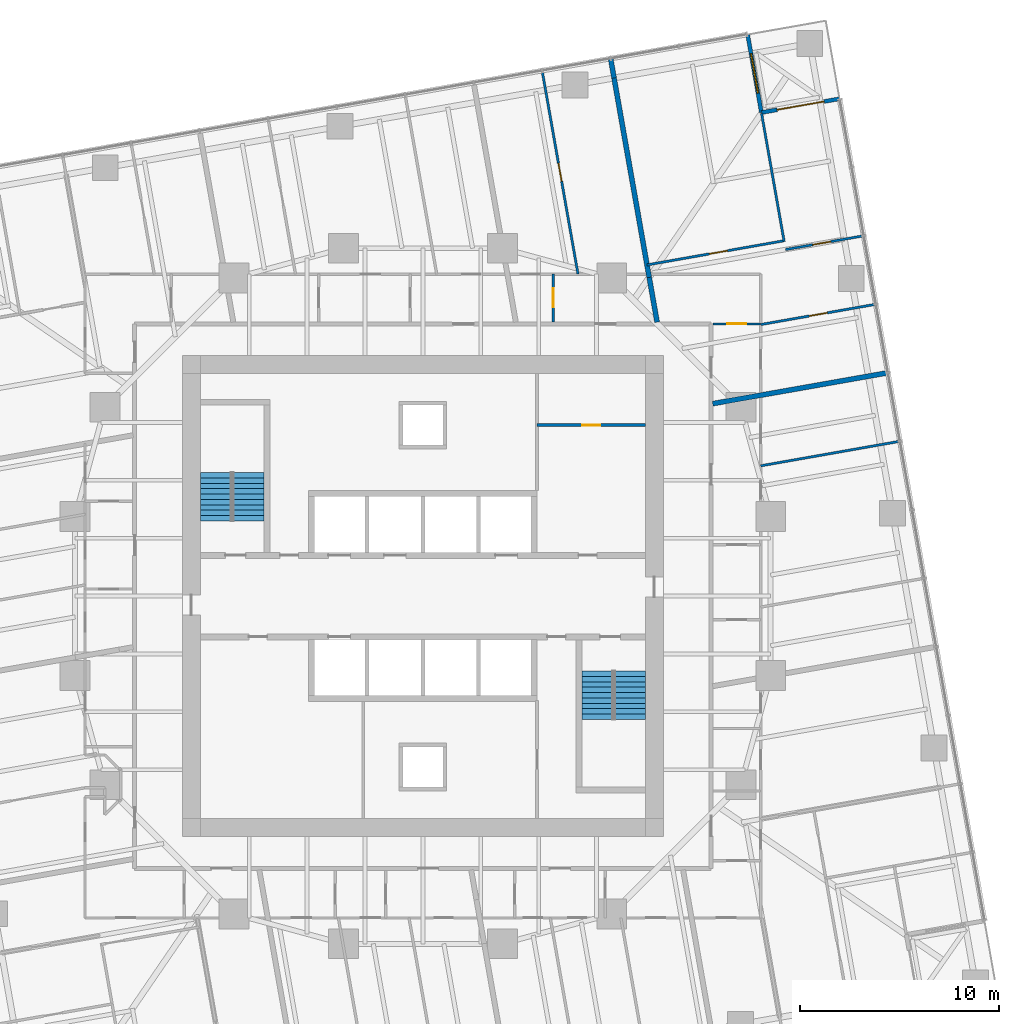
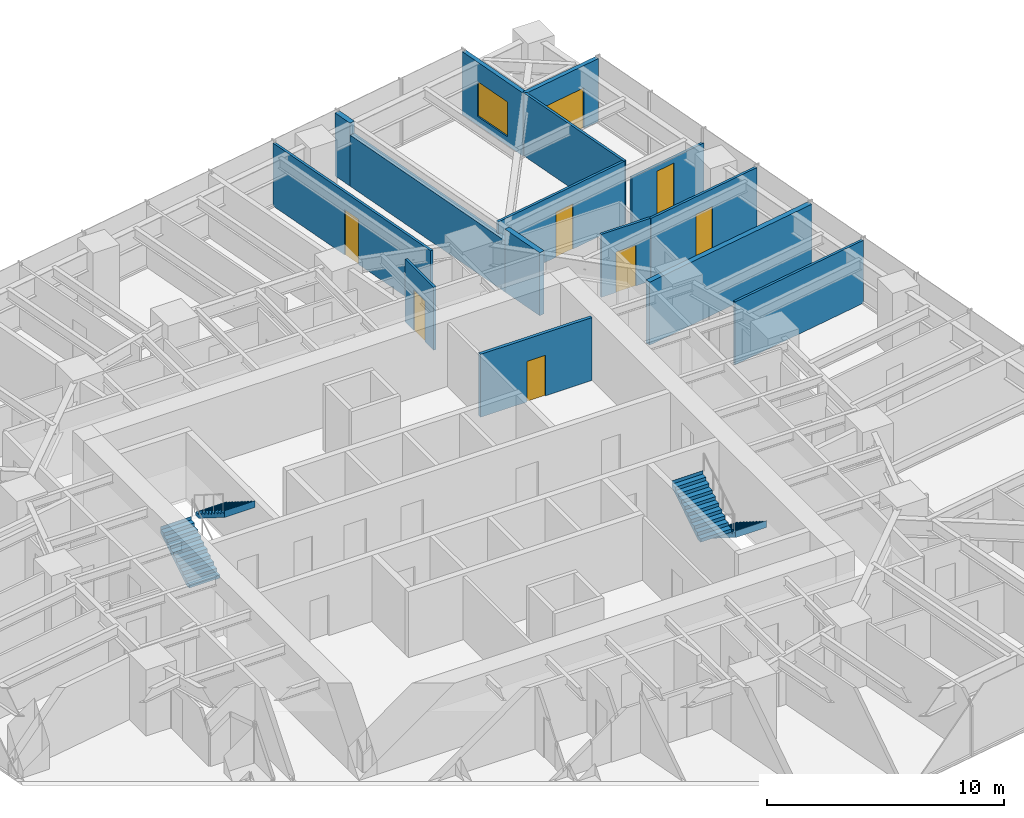
# One storey, part 13 of 14: 15 walls, 8 doors, 4 stair flights, 1 window, 9 openings, 2 elements without a shape of their own.
"""IFC4 building model written with IfcOpenShell, lengths in metres."""

from ifc_helpers import new_model, si_unit, direction, frame, frame_2d, origin, place, context, subcontext, project, spatial, polyline, rectangle, outline, extrude, material, layer, layer_set, type_object, element, fill, aggregate, save


model = new_model("IFC4")

# Units and contexts
model_context = context("Model", 3, precision=1e-05, world=origin(), true_north=direction((0.0, 1.0)))
body_context = subcontext(model_context, "Body", "Model", "MODEL_VIEW")
ifc_project = project(units=[si_unit("LENGTHUNIT", "METRE"), si_unit("AREAUNIT", "SQUARE_METRE"), si_unit("VOLUMEUNIT", "CUBIC_METRE"), si_unit("PLANEANGLEUNIT", "RADIAN"), si_unit("MASSUNIT", "GRAM", prefix="KILO")], contexts=[model_context])

# Site, building, storey
site_placement = place(None, origin())
site = spatial("IfcSite", under=ifc_project, at=site_placement, CompositionType="ELEMENT")
building_placement = place(site_placement, origin())
building = spatial("IfcBuilding", under=site, at=building_placement, Name="Torsade Residences", CompositionType="ELEMENT")
storey_placement = place(building_placement, frame((0.0, 0.0, 96.39990234375)))
storey = spatial("IfcBuildingStorey", under=building, at=storey_placement, Name="L26", CompositionType="ELEMENT", Elevation=96.39990234375)

# Wall
ifc_material_1 = material(Name="Plasterboard on steel stud", Category="steel")
ifc_layer_1 = layer(ifc_material_1, 0.1201171875)
ifc_layer_set_1 = layer_set([ifc_layer_1], Name="Plasterboard on steel stud")
wall_type_1 = type_object("IfcWallType", Name="PARTITION 120", PredefinedType="PARTITIONING", material=ifc_layer_set_1)
wall_1_placement = place(storey_placement, frame((57.0, 36.551513671875, 0.0), z_axis=(0.0, 0.0, 1.0), x_axis=(0.984809234282, 0.173639776761, 0.0)))
element("IfcWall", 1, at=wall_1_placement, inside=storey, type_object=wall_type_1, Name="Partition L26", PredefinedType="PARTITIONING", context=body_context, shape_type="SweptSolid", body=[
    extrude(rectangle(XDim=7.080810546875, YDim=0.1201171875, at=frame_2d((3.54052734375, 0.0))), origin(), (0.0, 0.0, 1.0), 3.25),
])

# Wall, opening, door
wall_2_placement = place(storey_placement, frame((54.60009765625, 43.68896484375, 0.0), z_axis=(0.0, 0.0, 1.0), x_axis=(1.0, 0.0, 0.0)))
wall_2 = element("IfcWall", 2, at=wall_2_placement, inside=storey, type_object=wall_type_1, Name="Partition L26", PredefinedType="PARTITIONING", context=body_context, shape_type="SweptSolid", body=[
    extrude(rectangle(XDim=2.39990234375, YDim=0.1201171875, at=frame_2d((1.199951171875, 0.0))), origin(), (0.0, 0.0, 1.0), 3.25),
])
opening_1_placement = place(wall_2_placement, frame((0.719970703125, 0.0, 0.0)))
opening_1 = element("IfcOpeningElement", 3, at=opening_1_placement, cuts=wall_2, Name="Opening D05", PredefinedType="OPENING", context=body_context, shape_type="SweptSolid", body=[
    extrude(rectangle(XDim=0.9599609375, YDim=2.10009765625, at=frame_2d((0.47998046875, 1.050048828125))), frame((0.0, 0.070068359375, 0.0), z_axis=(0.0, -1.0, 0.0), x_axis=(1.0, 0.0, 0.0)), (0.0, 0.0, 1.0), 0.14013671875),
])
ifc_material_2 = material(Name="Hollow-core timber door in a steel cavity frame", Category="steel")
door_type_1 = type_object("IfcDoorType", Name="BATHROOM CAVITY SLIDING DOOR 960", OperationType="SLIDING_TO_LEFT", PredefinedType="DOOR", material=ifc_material_2)
door_1_placement = place(opening_1_placement, origin())
door_1 = element("IfcDoor", 4, at=door_1_placement, inside=storey, type_object=door_type_1, Name="Door Kitchen and dining to Bathroom", OperationType="SLIDING_TO_LEFT", OverallHeight=2.10009765625, OverallWidth=0.9599609375, PredefinedType="DOOR", context=body_context, shape_type="SweptSolid", body=[
    extrude(rectangle(XDim=0.9599609375, YDim=2.10009765625, at=frame_2d((0.47998046875, 1.050048828125))), frame((0.0, 0.02490234375, 0.0), z_axis=(0.0, -1.0, 0.0), x_axis=(1.0, 0.0, 0.0)), (0.0, 0.0, 1.0), 0.050048828125),
])
fill(opening_1, door_1)

# Wall
wall_3_placement = place(storey_placement, frame((57.041259765625, 54.2880859375, 0.0), z_axis=(0.0, 0.0, 1.0), x_axis=(0.173657751636, -0.984806064815, 0.0)))
element("IfcWall", 5, at=wall_3_placement, inside=storey, type_object=wall_type_1, Name="Partition L26", PredefinedType="PARTITIONING", context=body_context, shape_type="SweptSolid", body=[
    extrude(rectangle(XDim=6.550048828125, YDim=0.1201171875, at=frame_2d((3.27490234375, 0.0))), origin(), (0.0, 0.0, 1.0), 3.25),
])

# Wall, opening, door
wall_4_placement = place(storey_placement, frame((58.171630859375, 47.877197265625, 0.0), z_axis=(0.0, 0.0, 1.0), x_axis=(-0.984806372973, -0.173656004074, 0.0)))
wall_4 = element("IfcWall", 6, at=wall_4_placement, inside=storey, type_object=wall_type_1, Name="Partition L26", PredefinedType="PARTITIONING", context=body_context, shape_type="SweptSolid", body=[
    extrude(rectangle(XDim=7.0, YDim=0.1201171875, at=frame_2d((3.5, 0.0))), origin(), (0.0, 0.0, 1.0), 3.25),
])
opening_2_placement = place(wall_4_placement, frame((2.889892578125, 0.0, 0.0)))
opening_2 = element("IfcOpeningElement", 7, at=opening_2_placement, cuts=wall_4, Name="Opening D02", PredefinedType="OPENING", context=body_context, shape_type="SweptSolid", body=[
    extrude(rectangle(XDim=0.919921875, YDim=2.340087890625, at=frame_2d((0.4599609375, 1.169921875))), frame((0.0, 0.070068359375, 0.0), z_axis=(0.0, -1.0, 0.0), x_axis=(1.0, 0.0, 0.0)), (0.0, 0.0, 1.0), 0.14013671875),
])
ifc_material_3 = material(Name="Hollow-core timber door", Category="wood")
door_type_2 = type_object("IfcDoorType", Name="INTERNAL DOOR 920x2340", OperationType="NOTDEFINED", PredefinedType="DOOR", material=ifc_material_3)
door_2_placement = place(opening_2_placement, origin())
door_2 = element("IfcDoor", 8, at=door_2_placement, inside=storey, type_object=door_type_2, Name="Door Bedroom 2 to Living room", OperationType="SINGLE_SWING_LEFT", OverallHeight=2.340087890625, OverallWidth=0.919921875, PredefinedType="DOOR", context=body_context, shape_type="SweptSolid", body=[
    extrude(rectangle(XDim=0.919921875, YDim=2.340087890625, at=frame_2d((0.4599609375, 1.169921875))), frame((0.0, 0.02490234375, 0.0), z_axis=(0.0, -1.0, 0.0), x_axis=(1.0, 0.0, 0.0)), (0.0, 0.0, 1.0), 0.050048828125),
])
fill(opening_2, door_2)

wall_5_placement = place(storey_placement, frame((62.149658203125, 48.12158203125, 0.0), z_axis=(0.0, 0.0, 1.0), x_axis=(-0.984804033163, -0.173669272657, 0.0)))
wall_5 = element("IfcWall", 9, at=wall_5_placement, inside=storey, type_object=wall_type_1, Name="Partition L26", PredefinedType="PARTITIONING", context=body_context, shape_type="SweptSolid", body=[
    extrude(rectangle(XDim=3.9599609375, YDim=0.1201171875, at=frame_2d((1.97998046875, 0.0))), origin(), (0.0, 0.0, 1.0), 2.63818359375),
])
opening_3_placement = place(wall_5_placement, frame((1.64990234375, 0.0, 0.0)))
opening_3 = element("IfcOpeningElement", 10, at=opening_3_placement, cuts=wall_5, Name="Opening D02", PredefinedType="OPENING", context=body_context, shape_type="SweptSolid", body=[
    extrude(rectangle(XDim=0.919921875, YDim=2.340087890625, at=frame_2d((0.4599609375, 1.169921875))), frame((0.0, 0.070068359375, 0.0), z_axis=(0.0, -1.0, 0.0), x_axis=(1.0, 0.0, 0.0)), (0.0, 0.0, 1.0), 0.14013671875),
])
door_3_placement = place(opening_3_placement, origin())
door_3 = element("IfcDoor", 11, at=door_3_placement, inside=storey, type_object=door_type_2, Name="Door Bedroom 2 to Bedroom 1", OperationType="SINGLE_SWING_RIGHT", OverallHeight=2.340087890625, OverallWidth=0.919921875, PredefinedType="DOOR", context=body_context, shape_type="SweptSolid", body=[
    extrude(rectangle(XDim=0.919921875, YDim=2.340087890625, at=frame_2d((0.4599609375, 1.169921875))), frame((0.0, 0.02490234375, 0.0), z_axis=(0.0, -1.0, 0.0), x_axis=(1.0, 0.0, 0.0)), (0.0, 0.0, 1.0), 0.050048828125),
])
fill(opening_3, door_3)

wall_6_placement = place(storey_placement, frame((62.757568359375, 44.6748046875, 0.0), z_axis=(0.0, 0.0, 1.0), x_axis=(-0.984810032319, -0.173635250578, 0.0)))
wall_6 = element("IfcWall", 12, at=wall_6_placement, inside=storey, type_object=wall_type_1, Name="Partition L26", PredefinedType="PARTITIONING", context=body_context, shape_type="SweptSolid", body=[
    extrude(rectangle(XDim=5.846435546875, YDim=0.1201171875, at=frame_2d((2.92333984375, 0.0))), origin(), (0.0, 0.0, 1.0), 3.25),
])
opening_4_placement = place(wall_6_placement, frame((2.443115234375, 0.0, 0.0)))
opening_4 = element("IfcOpeningElement", 13, at=opening_4_placement, cuts=wall_6, Name="Opening D02", PredefinedType="OPENING", context=body_context, shape_type="SweptSolid", body=[
    extrude(rectangle(XDim=0.919921875, YDim=2.340087890625, at=frame_2d((0.4599609375, 1.169921875))), frame((0.0, 0.070068359375, 0.0), z_axis=(0.0, -1.0, 0.0), x_axis=(1.0, 0.0, 0.0)), (0.0, 0.0, 1.0), 0.14013671875),
])
door_4_placement = place(opening_4_placement, origin())
door_4 = element("IfcDoor", 14, at=door_4_placement, inside=storey, type_object=door_type_2, Name="Door Study to Bedroom 2", OperationType="SINGLE_SWING_RIGHT", OverallHeight=2.340087890625, OverallWidth=0.919921875, PredefinedType="DOOR", context=body_context, shape_type="SweptSolid", body=[
    extrude(rectangle(XDim=0.919921875, YDim=2.340087890625, at=frame_2d((0.4599609375, 1.169921875))), frame((0.0, 0.02490234375, 0.0), z_axis=(0.0, -1.0, 0.0), x_axis=(1.0, 0.0, 0.0)), (0.0, 0.0, 1.0), 0.050048828125),
])
fill(opening_4, door_4)

wall_7_placement = place(storey_placement, frame((46.5673828125, 43.800048828125, 0.0), z_axis=(0.0, 0.0, 1.0), x_axis=(0.0, 1.0, 0.0)))
wall_7 = element("IfcWall", 15, at=wall_7_placement, inside=storey, type_object=wall_type_1, Name="Partition L26", PredefinedType="PARTITIONING", context=body_context, shape_type="SweptSolid", body=[
    extrude(rectangle(XDim=2.39990234375, YDim=0.1201171875, at=frame_2d((1.199951171875, 0.0))), origin(), (0.0, 0.0, 1.0), 3.25),
])
opening_5_placement = place(wall_7_placement, frame((0.719970703125, 0.0, 0.0)))
opening_5 = element("IfcOpeningElement", 16, at=opening_5_placement, cuts=wall_7, Name="Opening D05", PredefinedType="OPENING", context=body_context, shape_type="SweptSolid", body=[
    extrude(rectangle(XDim=0.9599609375, YDim=2.10009765625, at=frame_2d((0.47998046875, 1.050048828125))), frame((0.0, 0.070068359375, 0.0), z_axis=(0.0, -1.0, 0.0), x_axis=(1.0, 0.0, 0.0)), (0.0, 0.0, 1.0), 0.14013671875),
])
door_5_placement = place(opening_5_placement, origin())
door_5 = element("IfcDoor", 17, at=door_5_placement, inside=storey, type_object=door_type_1, Name="Door Kitchen and dining to Bathroom", OperationType="SLIDING_TO_LEFT", OverallHeight=2.10009765625, OverallWidth=0.9599609375, PredefinedType="DOOR", context=body_context, shape_type="SweptSolid", body=[
    extrude(rectangle(XDim=0.9599609375, YDim=2.10009765625, at=frame_2d((0.47998046875, 1.050048828125))), frame((0.0, 0.02490234375, 0.0), z_axis=(0.0, -1.0, 0.0), x_axis=(1.0, 0.0, 0.0)), (0.0, 0.0, 1.0), 0.050048828125),
])
fill(opening_5, door_5)

wall_8_placement = place(storey_placement, frame((47.805419921875, 46.199951171875, 0.0), z_axis=(0.0, 0.0, 1.0), x_axis=(-0.173653605279, 0.984806795962, 0.0)))
wall_8 = element("IfcWall", 18, at=wall_8_placement, inside=storey, type_object=wall_type_1, Name="Partition L26", PredefinedType="PARTITIONING", context=body_context, shape_type="SweptSolid", body=[
    extrude(rectangle(XDim=10.361572265625, YDim=0.1201171875, at=frame_2d((5.1806640625, 0.0))), origin(), (0.0, 0.0, 1.0), 3.25),
])
opening_6_placement = place(wall_8_placement, frame((4.74072265625, 0.0, 0.0)))
opening_6 = element("IfcOpeningElement", 19, at=opening_6_placement, cuts=wall_8, Name="Opening D02", PredefinedType="OPENING", context=body_context, shape_type="SweptSolid", body=[
    extrude(rectangle(XDim=0.919921875, YDim=2.340087890625, at=frame_2d((0.4599609375, 1.169921875))), frame((0.0, 0.070068359375, 0.0), z_axis=(0.0, -1.0, 0.0), x_axis=(1.0, 0.0, 0.0)), (0.0, 0.0, 1.0), 0.14013671875),
])
door_6_placement = place(opening_6_placement, origin())
door_6 = element("IfcDoor", 20, at=door_6_placement, inside=storey, type_object=door_type_2, Name="Door Bedroom 1 to Living room", OperationType="SINGLE_SWING_RIGHT", OverallHeight=2.340087890625, OverallWidth=0.919921875, PredefinedType="DOOR", context=body_context, shape_type="SweptSolid", body=[
    extrude(rectangle(XDim=0.919921875, YDim=2.340087890625, at=frame_2d((0.4599609375, 1.169921875))), frame((0.0, 0.02490234375, 0.0), z_axis=(0.0, -1.0, 0.0), x_axis=(1.0, 0.0, 0.0)), (0.0, 0.0, 1.0), 0.050048828125),
])
fill(opening_6, door_6)

# Walls
ifc_material_4 = material(Name="Masonry-lined stud party wall", Category="masonry")
ifc_layer_2 = layer(ifc_material_4, 0.25)
ifc_layer_set_2 = layer_set([ifc_layer_2], Name="Masonry-lined stud party wall")
wall_type_2 = type_object("IfcWallType", Name="PARTY WALL 250", PredefinedType="PARTITIONING", material=ifc_layer_set_2)
wall_9_placement = place(storey_placement, frame((63.404541015625, 41.23486328125, 0.0), z_axis=(0.0, 0.0, 1.0), x_axis=(-0.984806596137, -0.173654738504, 0.0)))
element("IfcWall", 21, at=wall_9_placement, inside=storey, type_object=wall_type_2, Name="Party wall L26", PredefinedType="PARTITIONING", context=body_context, shape_type="SweptSolid", body=[
    extrude(rectangle(XDim=8.958251953125, YDim=0.25, at=frame_2d((4.47900390625, 0.0))), origin(), (0.0, 0.0, 1.0), 3.25),
])
wall_10_placement = place(storey_placement, frame((49.446044921875, 57.05126953125, 0.0), z_axis=(0.0, 0.0, 1.0), x_axis=(0.173813186416, -0.984778643263, 0.0)))
element("IfcWall", 22, at=wall_10_placement, inside=storey, type_object=wall_type_2, Name="Party wall L26", PredefinedType="PARTITIONING", context=body_context, shape_type="SweptSolid", body=[
    extrude(rectangle(XDim=1.0, YDim=0.25, at=frame_2d((0.5, 0.0))), origin(), (0.0, 0.0, 1.0), 3.25),
])
wall_11_placement = place(storey_placement, frame((49.619873046875, 56.06640625, 0.0), z_axis=(0.0, 0.0, 1.0), x_axis=(0.173644522411, -0.984808397525, 0.0)))
element("IfcWall", 23, at=wall_11_placement, inside=storey, type_object=wall_type_2, Name="Party wall L26", PredefinedType="PARTITIONING", context=body_context, shape_type="SweptSolid", body=[
    extrude(rectangle(XDim=10.187744140625, YDim=0.25, at=frame_2d((5.09375, 0.0))), origin(), (0.0, 0.0, 1.0), 2.63818359375),
])
wall_12_placement = place(storey_placement, frame((51.388916015625, 46.033447265625, 0.0), z_axis=(0.0, 0.0, 1.0), x_axis=(0.173657387043, -0.984806129106, 0.0)))
element("IfcWall", 24, at=wall_12_placement, inside=storey, type_object=wall_type_2, Name="Party wall L26", PredefinedType="PARTITIONING", context=body_context, shape_type="SweptSolid", body=[
    extrude(rectangle(XDim=2.285888671875, YDim=0.25, at=frame_2d((1.14306640625, 0.0))), origin(), (0.0, 0.0, 1.0), 3.25),
])

# Wall, opening, door
ifc_material_5 = material(Name="Reinforced blockwork", Category="masonry")
ifc_layer_3 = layer(ifc_material_5, 0.14990234375)
ifc_layer_set_3 = layer_set([ifc_layer_3], Name="Reinforced blockwork")
wall_type_3 = type_object("IfcWallType", Name="SERVICE ROOM WALL 150", PredefinedType="SOLIDWALL", material=ifc_layer_set_3)
wall_13_placement = place(storey_placement, frame((45.75, 38.60009765625, 0.0), z_axis=(0.0, 0.0, 1.0), x_axis=(1.0, 0.0, 0.0)))
wall_13 = element("IfcWall", 25, at=wall_13_placement, inside=storey, type_object=wall_type_3, Name="Service room wall L26", PredefinedType="SOLIDWALL", context=body_context, shape_type="SweptSolid", body=[
    extrude(rectangle(XDim=5.449951171875, YDim=0.14990234375, at=frame_2d((2.72509765625, 0.0))), origin(), (0.0, 0.0, 1.0), 3.25),
])
opening_7_placement = place(wall_13_placement, frame((2.264892578125, 0.0, 0.0)))
opening_7 = element("IfcOpeningElement", 26, at=opening_7_placement, cuts=wall_13, Name="Opening D06", PredefinedType="OPENING", context=body_context, shape_type="SweptSolid", body=[
    extrude(rectangle(XDim=0.919921875, YDim=2.10009765625, at=frame_2d((0.4599609375, 1.050048828125))), frame((0.0, 0.0849609375, 0.0), z_axis=(0.0, -1.0, 0.0), x_axis=(1.0, 0.0, 0.0)), (0.0, 0.0, 1.0), 0.169921875),
])
ifc_material_6 = material(Name="Steel-framed fire door", Category="steel")
door_type_3 = type_object("IfcDoorType", Name="FIRE DOOR 920", OperationType="NOTDEFINED", PredefinedType="DOOR", material=ifc_material_6)
door_7_placement = place(opening_7_placement, origin())
door_7 = element("IfcDoor", 27, at=door_7_placement, inside=storey, type_object=door_type_3, Name="Door Refuse room to Linen store", OperationType="SINGLE_SWING_LEFT", OverallHeight=2.10009765625, OverallWidth=0.919921875, PredefinedType="DOOR", context=body_context, shape_type="SweptSolid", body=[
    extrude(rectangle(XDim=0.919921875, YDim=2.10009765625, at=frame_2d((0.4599609375, 1.050048828125))), frame((0.0, 0.02490234375, 0.0), z_axis=(0.0, -1.0, 0.0), x_axis=(1.0, 0.0, 0.0)), (0.0, 0.0, 1.0), 0.050048828125),
])
fill(opening_7, door_7)

ifc_material_7 = material(Name="Stone-faced precast concrete 40 MPa panel", Category="masonry")
ifc_layer_4 = layer(ifc_material_7, 0.199951171875)
ifc_layer_set_4 = layer_set([ifc_layer_4], Name="Stone-faced precast concrete 40 MPa panel")
wall_type_4 = type_object("IfcWallType", Name="TERRACE WALL 200", PredefinedType="SOLIDWALL", material=ifc_layer_set_4)
wall_14_placement = place(storey_placement, frame((60.9736328125, 55.022216796875, 0.0), z_axis=(0.0, 0.0, 1.0), x_axis=(-0.984808127031, -0.173646056486, 0.0)))
wall_14 = element("IfcWall", 28, at=wall_14_placement, inside=storey, type_object=wall_type_4, Name="Terrace wall L26 5", PredefinedType="SOLIDWALL", context=body_context, shape_type="SweptSolid", body=[
    extrude(rectangle(XDim=4.0, YDim=0.199951171875, at=frame_2d((2.0, 0.0))), origin(), (0.0, 0.0, 1.0), 3.25),
])
opening_8_placement = place(wall_14_placement, frame((0.800048828125, 0.0, 0.0)))
opening_8 = element("IfcOpeningElement", 29, at=opening_8_placement, cuts=wall_14, Name="Opening D10A", PredefinedType="OPENING", context=body_context, shape_type="SweptSolid", body=[
    extrude(rectangle(XDim=2.39990234375, YDim=2.10009765625, at=frame_2d((1.199951171875, 1.050048828125))), frame((0.0, 0.10986328125, 0.0), z_axis=(0.0, -1.0, 0.0), x_axis=(1.0, 0.0, 0.0)), (0.0, 0.0, 1.0), 0.219970703125),
])
ifc_material_8 = material(Name="Aluminium-framed glass door", Category="aluminium")
door_type_4 = type_object("IfcDoorType", Name="TERRACE SLIDING DOOR 2400x2100", OperationType="SLIDING_TO_LEFT", PredefinedType="DOOR", material=ifc_material_8)
door_8_placement = place(opening_8_placement, origin())
door_8 = element("IfcDoor", 30, at=door_8_placement, inside=storey, type_object=door_type_4, Name="Terrace door L26 5", OperationType="SLIDING_TO_LEFT", OverallHeight=2.10009765625, OverallWidth=2.39990234375, PredefinedType="DOOR", context=body_context, shape_type="SweptSolid", body=[
    extrude(rectangle(XDim=2.39990234375, YDim=2.10009765625, at=frame_2d((1.199951171875, 1.050048828125))), frame((0.0, 0.02490234375, 0.0), z_axis=(0.0, -1.0, 0.0), x_axis=(1.0, 0.0, 0.0)), (0.0, 0.0, 1.0), 0.050048828125),
])
fill(opening_8, door_8)

# Wall, opening, window
wall_15_placement = place(storey_placement, frame((57.034423828125, 54.32763671875, 0.0), z_axis=(0.0, 0.0, 1.0), x_axis=(-0.173646056486, 0.984808127031, 0.0)))
wall_15 = element("IfcWall", 31, at=wall_15_placement, inside=storey, type_object=wall_type_4, Name="Terrace wall L26 6", PredefinedType="SOLIDWALL", context=body_context, shape_type="SweptSolid", body=[
    extrude(rectangle(XDim=4.0, YDim=0.199951171875, at=frame_2d((2.0, 0.0))), origin(), (0.0, 0.0, 1.0), 3.25),
])
opening_9_placement = place(wall_15_placement, frame((1.0, 0.0, 0.449951171875)))
opening_9 = element("IfcOpeningElement", 32, at=opening_9_placement, cuts=wall_15, Name="Opening W1B", PredefinedType="OPENING", context=body_context, shape_type="SweptSolid", body=[
    extrude(rectangle(XDim=2.0, YDim=1.800048828125, at=frame_2d((1.0, 0.89990234375))), frame((0.0, 0.10986328125, 0.0), z_axis=(0.0, -1.0, 0.0), x_axis=(1.0, 0.0, 0.0)), (0.0, 0.0, 1.0), 0.219970703125),
])
ifc_material_9 = material(Name="Aluminium-framed glass window", Category="aluminium")
window_type = type_object("IfcWindowType", Name="TERRACE WINDOW 2000x1800", PartitioningType="SINGLE_PANEL", PredefinedType="WINDOW", material=ifc_material_9)
window_placement = place(opening_9_placement, origin())
window = element("IfcWindow", 33, at=window_placement, inside=storey, type_object=window_type, Name="Terrace window L26 6", OverallHeight=1.800048828125, OverallWidth=2.0, PartitioningType="SINGLE_PANEL", PredefinedType="WINDOW", context=body_context, shape_type="SweptSolid", body=[
    extrude(rectangle(XDim=2.0, YDim=1.800048828125, at=frame_2d((1.0, 0.89990234375))), frame((0.0, 0.030029296875, 0.0), z_axis=(0.0, -1.0, 0.0), x_axis=(1.0, 0.0, 0.0)), (0.0, 0.0, 1.0), 0.06005859375),
])
fill(opening_9, window)

# Stair, stair flights
ifc_material_10 = material(Name="Precast concrete 40 MPa", Category="concrete")
stair_type = type_object("IfcStairType", Name="HALF-TURN FIRE STAIR 1500x3400", PredefinedType="HALF_TURN_STAIR", material=ifc_material_10)
stair_1_placement = place(storey_placement, origin())
stair_1 = element("IfcStair", 34, at=stair_1_placement, inside=storey, type_object=stair_type, Name="Stair ST1 L26", PredefinedType="HALF_TURN_STAIR")
ifc_material_11 = material(Name="Precast concrete 40 MPa", Category="concrete")
stair_flight_type = type_object("IfcStairFlightType", Name="PRECAST STAIR FLIGHT 1500x1700", PredefinedType="STRAIGHT", material=ifc_material_11)
stair_flight_1_placement = place(storey_placement, frame((29.550048828125, 33.780029296875, 0.0), z_axis=(0.0, 0.0, 1.0), x_axis=(0.0, 1.0, 0.0)))
stair_flight_1 = element("IfcStairFlight", 35, at=stair_flight_1_placement, type_object=stair_flight_type, Name="ST1 flight 1", NumberOfRisers=10, NumberOfTreads=9, PredefinedType="STRAIGHT", RiserHeight=0.17, TreadLength=0.27, context=body_context, shape_type="SweptSolid", body=[
    extrude(outline(polyline([(0.0, 0.0), (0.0, 0.169921875), (0.27001953125, 0.169921875), (0.27001953125, 0.340087890625), (0.5400390625, 0.340087890625), (0.5400390625, 0.510009765625), (0.81005859375, 0.510009765625), (0.81005859375, 0.679931640625), (1.080078125, 0.679931640625), (1.080078125, 0.85009765625), (1.35009765625, 0.85009765625), (1.35009765625, 1.02001953125), (1.6201171875, 1.02001953125), (1.6201171875, 1.18994140625), (1.889892578125, 1.18994140625), (1.889892578125, 1.360107421875), (2.159912109375, 1.360107421875), (2.159912109375, 1.530029296875), (2.429931640625, 1.530029296875), (2.429931640625, 1.699951171875), (2.43994140625, 1.699951171875), (2.43994140625, 1.352783203125), (2.429931640625, 1.352783203125), (0.28125, 0.0), (0.0, 0.0)])), frame((0.0, 0.75, 0.0), z_axis=(0.0, -1.0, 0.0), x_axis=(1.0, 0.0, 0.0)), (0.0, 0.0, 1.0), 1.5),
])
stair_flight_2_placement = place(storey_placement, frame((31.25, 36.2099609375, 1.7001953125), z_axis=(0.0, 0.0, 1.0), x_axis=(0.0, -1.0, 0.0)))
stair_flight_2 = element("IfcStairFlight", 36, at=stair_flight_2_placement, type_object=stair_flight_type, Name="ST1 flight 2", NumberOfRisers=10, NumberOfTreads=9, PredefinedType="STRAIGHT", RiserHeight=0.17, TreadLength=0.27, context=body_context, shape_type="SweptSolid", body=[
    extrude(outline(polyline([(0.0, 0.0), (0.0, 0.169921875), (0.27001953125, 0.169921875), (0.27001953125, 0.340087890625), (0.5400390625, 0.340087890625), (0.5400390625, 0.510009765625), (0.81005859375, 0.510009765625), (0.81005859375, 0.679931640625), (1.080078125, 0.679931640625), (1.080078125, 0.85009765625), (1.35009765625, 0.85009765625), (1.35009765625, 1.02001953125), (1.6201171875, 1.02001953125), (1.6201171875, 1.18994140625), (1.889892578125, 1.18994140625), (1.889892578125, 1.360107421875), (2.159912109375, 1.360107421875), (2.159912109375, 1.530029296875), (2.429931640625, 1.530029296875), (2.429931640625, 1.699951171875), (2.43994140625, 1.699951171875), (2.43994140625, 1.352783203125), (2.429931640625, 1.352783203125), (0.28125, 0.0), (0.0, 0.0)])), frame((0.0, 0.75, 0.0), z_axis=(0.0, -1.0, 0.0), x_axis=(1.0, 0.0, 0.0)), (0.0, 0.0, 1.0), 1.5),
])
aggregate(stair_1, [stair_flight_1, stair_flight_2])

stair_2_placement = place(storey_placement, origin())
stair_2 = element("IfcStair", 37, at=stair_2_placement, inside=storey, type_object=stair_type, Name="Stair ST2 L26", PredefinedType="HALF_TURN_STAIR")
stair_flight_3_placement = place(storey_placement, frame((50.449951171875, 26.219970703125, 0.0), z_axis=(0.0, 0.0, 1.0), x_axis=(0.0, -1.0, 0.0)))
stair_flight_3 = element("IfcStairFlight", 38, at=stair_flight_3_placement, type_object=stair_flight_type, Name="ST2 flight 1", NumberOfRisers=10, NumberOfTreads=9, PredefinedType="STRAIGHT", RiserHeight=0.17, TreadLength=0.27, context=body_context, shape_type="SweptSolid", body=[
    extrude(outline(polyline([(0.0, 0.0), (0.0, 0.169921875), (0.27001953125, 0.169921875), (0.27001953125, 0.340087890625), (0.5400390625, 0.340087890625), (0.5400390625, 0.510009765625), (0.81005859375, 0.510009765625), (0.81005859375, 0.679931640625), (1.080078125, 0.679931640625), (1.080078125, 0.85009765625), (1.35009765625, 0.85009765625), (1.35009765625, 1.02001953125), (1.6201171875, 1.02001953125), (1.6201171875, 1.18994140625), (1.889892578125, 1.18994140625), (1.889892578125, 1.360107421875), (2.159912109375, 1.360107421875), (2.159912109375, 1.530029296875), (2.429931640625, 1.530029296875), (2.429931640625, 1.699951171875), (2.43994140625, 1.699951171875), (2.43994140625, 1.352783203125), (2.429931640625, 1.352783203125), (0.28125, 0.0), (0.0, 0.0)])), frame((0.0, 0.75, 0.0), z_axis=(0.0, -1.0, 0.0), x_axis=(1.0, 0.0, 0.0)), (0.0, 0.0, 1.0), 1.5),
])
stair_flight_4_placement = place(storey_placement, frame((48.75, 23.7900390625, 1.7001953125), z_axis=(0.0, 0.0, 1.0), x_axis=(0.0, 1.0, 0.0)))
stair_flight_4 = element("IfcStairFlight", 39, at=stair_flight_4_placement, type_object=stair_flight_type, Name="ST2 flight 2", NumberOfRisers=10, NumberOfTreads=9, PredefinedType="STRAIGHT", RiserHeight=0.17, TreadLength=0.27, context=body_context, shape_type="SweptSolid", body=[
    extrude(outline(polyline([(0.0, 0.0), (0.0, 0.169921875), (0.27001953125, 0.169921875), (0.27001953125, 0.340087890625), (0.5400390625, 0.340087890625), (0.5400390625, 0.510009765625), (0.81005859375, 0.510009765625), (0.81005859375, 0.679931640625), (1.080078125, 0.679931640625), (1.080078125, 0.85009765625), (1.35009765625, 0.85009765625), (1.35009765625, 1.02001953125), (1.6201171875, 1.02001953125), (1.6201171875, 1.18994140625), (1.889892578125, 1.18994140625), (1.889892578125, 1.360107421875), (2.159912109375, 1.360107421875), (2.159912109375, 1.530029296875), (2.429931640625, 1.530029296875), (2.429931640625, 1.699951171875), (2.43994140625, 1.699951171875), (2.43994140625, 1.352783203125), (2.429931640625, 1.352783203125), (0.28125, 0.0), (0.0, 0.0)])), frame((0.0, 0.75, 0.0), z_axis=(0.0, -1.0, 0.0), x_axis=(1.0, 0.0, 0.0)), (0.0, 0.0, 1.0), 1.5),
])
aggregate(stair_2, [stair_flight_3, stair_flight_4])

save(model, "model.ifc")
